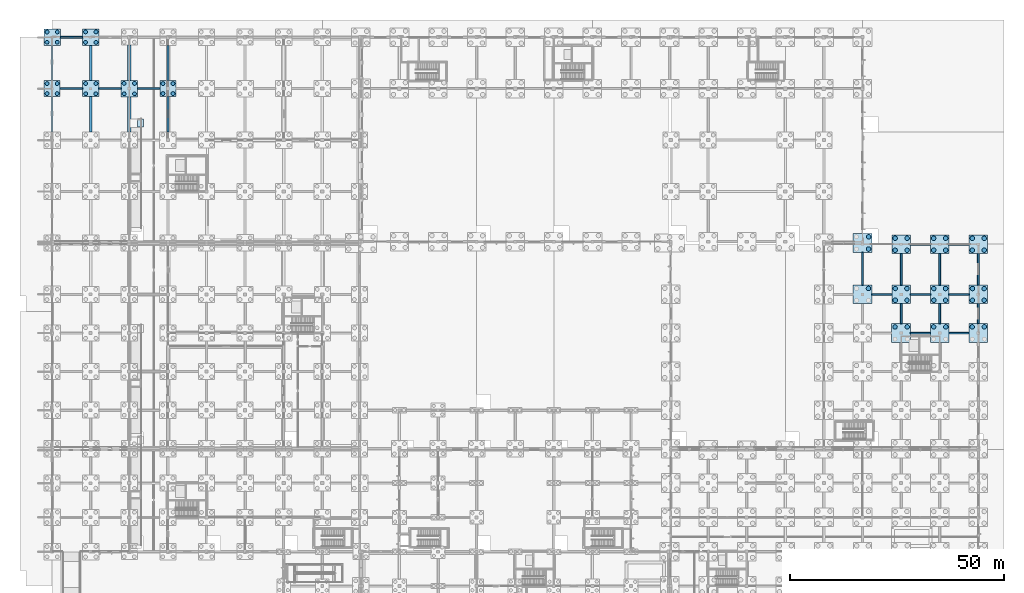
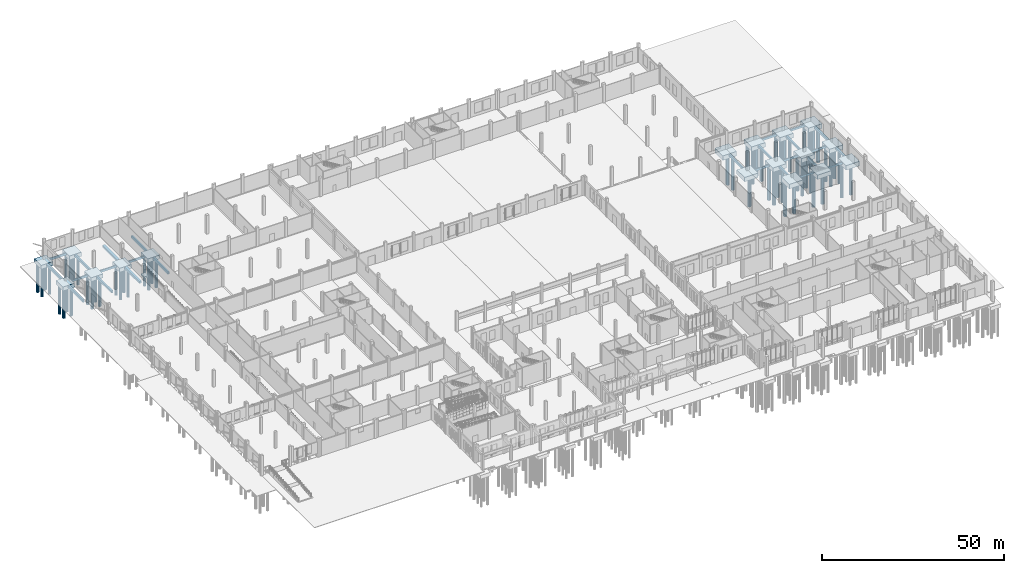
# One storey, part 20 of 99: 57 piles, 44 footings.
"""IFC4 building model written with IfcOpenShell, lengths in metres."""

from ifc_helpers import new_model, si_unit, direction, frame, origin, origin_2d, place, context, subcontext, project, spatial, polyline, rectangle, circle, outline, extrude, material, layer, layer_set, material_profile, profile_set, type_object, element, save


model = new_model("IFC4")

# Units and contexts
model_context = context("Model", 3, precision=1e-05, world=origin(), true_north=direction((0.0, 1.0)))
body_context = subcontext(model_context, "Body", "Model", "MODEL_VIEW")
ifc_project = project(units=[si_unit("LENGTHUNIT", "METRE"), si_unit("AREAUNIT", "SQUARE_METRE"), si_unit("VOLUMEUNIT", "CUBIC_METRE"), si_unit("PLANEANGLEUNIT", "RADIAN"), si_unit("MASSUNIT", "GRAM", prefix="KILO")], contexts=[model_context])

# Site, building, storey
site_placement = place(None, origin())
site = spatial("IfcSite", under=ifc_project, at=site_placement, CompositionType="ELEMENT")
building_placement = place(site_placement, origin())
building = spatial("IfcBuilding", under=site, at=building_placement, Name="Zacnel Wholesale Market", CompositionType="ELEMENT")
storey_placement = place(building_placement, origin())
storey = spatial("IfcBuildingStorey", under=building, at=storey_placement, Name="L01", CompositionType="ELEMENT", Elevation=0.0)

# Footings
ifc_material_1 = material(Name="Concrete C35/45", Category="concrete")
ifc_material_profile_1 = material_profile(ifc_material_1, rectangle(XDim=0.39990234375, YDim=0.699951171875, at=origin_2d()), Name="CT 400x700")
ifc_profile_set_1 = profile_set([ifc_material_profile_1], Name="Concrete C35/45")
footing_type_1 = type_object("IfcFootingType", Name="FTG-CT400X700", PredefinedType="FOOTING_BEAM", material=ifc_profile_set_1)
for number, where, z_axis, x_axis, name in (
    (1, (200.18994140625, 75.0, -0.85009765625), (1.0, 0.0, 0.0), (0.0, 1.0, 0.0), "Ground tie beam CT-X-0419"),
    (2, (209.18994140625, 75.0, -0.85009765625), (1.0, 0.0, 0.0), (0.0, 1.0, 0.0), "Ground tie beam CT-X-0420"),
):
    element("IfcFooting", number, at=place(storey_placement, frame(where, z_axis=z_axis, x_axis=x_axis)), inside=storey, type_object=footing_type_1, Name=name, PredefinedType="FOOTING_BEAM", context=body_context, shape_type="SweptSolid", body=[
        extrude(rectangle(XDim=0.39990234375, YDim=0.699951171875, at=origin_2d()), origin(), (0.0, 0.0, 1.0), 4.6201171875),
    ])
footing_1_placement = place(storey_placement, frame((191.1650390625, 84.0, -0.85009765625), z_axis=(1.0, 0.0, 0.0), x_axis=(0.0, 1.0, 0.0)))
element("IfcFooting", 3, at=footing_1_placement, inside=storey, type_object=footing_type_1, Name="Ground tie beam CT-X-0429", PredefinedType="FOOTING_BEAM", context=body_context, shape_type="SweptSolid", body=[
    extrude(rectangle(XDim=0.39990234375, YDim=0.699951171875, at=origin_2d()), origin(), (0.0, 0.0, 1.0), 4.695068359375),
])
for number, where, z_axis, x_axis, name in (
    (4, (200.139892578125, 84.0, -0.85009765625), (1.0, 0.0, 0.0), (0.0, 1.0, 0.0), "Ground tie beam CT-X-0430"),
    (5, (209.139892578125, 84.0, -0.85009765625), (1.0, 0.0, 0.0), (0.0, 1.0, 0.0), "Ground tie beam CT-X-0431"),
):
    element("IfcFooting", number, at=place(storey_placement, frame(where, z_axis=z_axis, x_axis=x_axis)), inside=storey, type_object=footing_type_1, Name=name, PredefinedType="FOOTING_BEAM", context=body_context, shape_type="SweptSolid", body=[
        extrude(rectangle(XDim=0.39990234375, YDim=0.699951171875, at=origin_2d()), origin(), (0.0, 0.0, 1.0), 4.72021484375),
    ])
for number, where, z_axis, x_axis, name in (
    (6, (200.1650390625, 95.699951171875, -0.85009765625), (1.0, 0.0, 0.0), (0.0, 1.0, 0.0), "Ground tie beam CT-X-0432"),
    (7, (209.1650390625, 95.699951171875, -0.85009765625), (1.0, 0.0, 0.0), (0.0, 1.0, 0.0), "Ground tie beam CT-X-0433"),
):
    element("IfcFooting", number, at=place(storey_placement, frame(where, z_axis=z_axis, x_axis=x_axis)), inside=storey, type_object=footing_type_1, Name=name, PredefinedType="FOOTING_BEAM", context=body_context, shape_type="SweptSolid", body=[
        extrude(rectangle(XDim=0.39990234375, YDim=0.699951171875, at=origin_2d()), origin(), (0.0, 0.0, 1.0), 4.669921875),
    ])
footing_2_placement = place(storey_placement, frame((1.8701171875, 132.0, -0.85009765625), z_axis=(1.0, 0.0, 0.0), x_axis=(0.0, 1.0, 0.0)))
element("IfcFooting", 8, at=footing_2_placement, inside=storey, type_object=footing_type_1, Name="Ground tie beam CT-X-0472", PredefinedType="FOOTING_BEAM", context=body_context, shape_type="SweptSolid", body=[
    extrude(rectangle(XDim=0.39990234375, YDim=0.699951171875, at=origin_2d()), origin(), (0.0, 0.0, 1.0), 5.239990234375),
])
footing_3_placement = place(storey_placement, frame((10.889892578125, 132.0, -0.85009765625), z_axis=(1.0, 0.0, 0.0), x_axis=(0.0, 1.0, 0.0)))
element("IfcFooting", 9, at=footing_3_placement, inside=storey, type_object=footing_type_1, Name="Ground tie beam CT-X-0473", PredefinedType="FOOTING_BEAM", context=body_context, shape_type="SweptSolid", body=[
    extrude(rectangle(XDim=0.39990234375, YDim=0.699951171875, at=origin_2d()), origin(), (0.0, 0.0, 1.0), 5.195068359375),
])
footing_4_placement = place(storey_placement, frame((19.9150390625, 132.0, -0.85009765625), z_axis=(1.0, 0.0, 0.0), x_axis=(0.0, 1.0, 0.0)))
element("IfcFooting", 10, at=footing_4_placement, inside=storey, type_object=footing_type_1, Name="Ground tie beam CT-X-0474", PredefinedType="FOOTING_BEAM", context=body_context, shape_type="SweptSolid", body=[
    extrude(rectangle(XDim=0.39990234375, YDim=0.699951171875, at=origin_2d()), origin(), (0.0, 0.0, 1.0), 5.21484375),
])
footing_5_placement = place(storey_placement, frame((1.889892578125, 144.0, -0.85009765625), z_axis=(1.0, 0.0, 0.0), x_axis=(0.0, 1.0, 0.0)))
element("IfcFooting", 11, at=footing_5_placement, inside=storey, type_object=footing_type_1, Name="Ground tie beam CT-X-0493", PredefinedType="FOOTING_BEAM", context=body_context, shape_type="SweptSolid", body=[
    extrude(rectangle(XDim=0.39990234375, YDim=0.699951171875, at=origin_2d()), origin(), (0.0, 0.0, 1.0), 5.195068359375),
])
ifc_material_2 = material(Name="Concrete C35/45", Category="concrete")
ifc_material_profile_2 = material_profile(ifc_material_2, rectangle(XDim=0.449951171875, YDim=0.75, at=origin_2d()), Name="CT 450x750")
ifc_profile_set_2 = profile_set([ifc_material_profile_2], Name="Concrete C35/45")
footing_type_2 = type_object("IfcFootingType", Name="FTG-CT450X750", PredefinedType="FOOTING_BEAM", material=ifc_profile_set_2)
footing_6_placement = place(storey_placement, frame((189.0, 86.1650390625, -0.875), z_axis=(0.0, 1.0, 0.0), x_axis=(-1.0, 0.0, 0.0)))
element("IfcFooting", 12, at=footing_6_placement, inside=storey, type_object=footing_type_2, Name="Ground tie beam CT-Y-0204", PredefinedType="FOOTING_BEAM", context=body_context, shape_type="SweptSolid", body=[
    extrude(rectangle(XDim=0.449951171875, YDim=0.75, at=origin_2d()), origin(), (0.0, 0.0, 1.0), 7.64501953125),
])
footing_7_placement = place(storey_placement, frame((198.0, 77.18994140625, -0.875), z_axis=(0.0, 1.0, 0.0), x_axis=(-1.0, 0.0, 0.0)))
element("IfcFooting", 13, at=footing_7_placement, inside=storey, type_object=footing_type_2, Name="Ground tie beam CT-Y-0213", PredefinedType="FOOTING_BEAM", context=body_context, shape_type="SweptSolid", body=[
    extrude(rectangle(XDim=0.449951171875, YDim=0.75, at=origin_2d()), origin(), (0.0, 0.0, 1.0), 4.670166015625),
])
footing_8_placement = place(storey_placement, frame((198.0, 86.139892578125, -0.875), z_axis=(0.0, 1.0, 0.0), x_axis=(-1.0, 0.0, 0.0)))
element("IfcFooting", 14, at=footing_8_placement, inside=storey, type_object=footing_type_2, Name="Ground tie beam CT-Y-0214", PredefinedType="FOOTING_BEAM", context=body_context, shape_type="SweptSolid", body=[
    extrude(rectangle(XDim=0.449951171875, YDim=0.75, at=origin_2d()), origin(), (0.0, 0.0, 1.0), 7.39501953125),
])
footing_9_placement = place(storey_placement, frame((207.0, 77.18994140625, -0.875), z_axis=(0.0, 1.0, 0.0), x_axis=(-1.0, 0.0, 0.0)))
element("IfcFooting", 15, at=footing_9_placement, inside=storey, type_object=footing_type_2, Name="Ground tie beam CT-Y-0224", PredefinedType="FOOTING_BEAM", context=body_context, shape_type="SweptSolid", body=[
    extrude(rectangle(XDim=0.449951171875, YDim=0.75, at=origin_2d()), origin(), (0.0, 0.0, 1.0), 4.670166015625),
])
footing_10_placement = place(storey_placement, frame((207.0, 86.139892578125, -0.875), z_axis=(0.0, 1.0, 0.0), x_axis=(-1.0, 0.0, 0.0)))
element("IfcFooting", 16, at=footing_10_placement, inside=storey, type_object=footing_type_2, Name="Ground tie beam CT-Y-0225", PredefinedType="FOOTING_BEAM", context=body_context, shape_type="SweptSolid", body=[
    extrude(rectangle(XDim=0.449951171875, YDim=0.75, at=origin_2d()), origin(), (0.0, 0.0, 1.0), 7.39501953125),
])
footing_11_placement = place(storey_placement, frame((216.0, 77.18994140625, -0.875), z_axis=(0.0, 1.0, 0.0), x_axis=(-1.0, 0.0, 0.0)))
element("IfcFooting", 17, at=footing_11_placement, inside=storey, type_object=footing_type_2, Name="Ground tie beam CT-Y-0236", PredefinedType="FOOTING_BEAM", context=body_context, shape_type="SweptSolid", body=[
    extrude(rectangle(XDim=0.449951171875, YDim=0.75, at=origin_2d()), origin(), (0.0, 0.0, 1.0), 4.670166015625),
])
footing_12_placement = place(storey_placement, frame((216.0, 86.139892578125, -0.875), z_axis=(0.0, 1.0, 0.0), x_axis=(-1.0, 0.0, 0.0)))
element("IfcFooting", 18, at=footing_12_placement, inside=storey, type_object=footing_type_2, Name="Ground tie beam CT-Y-0237", PredefinedType="FOOTING_BEAM", context=body_context, shape_type="SweptSolid", body=[
    extrude(rectangle(XDim=0.449951171875, YDim=0.75, at=origin_2d()), origin(), (0.0, 0.0, 1.0), 7.39501953125),
])
ifc_material_3 = material(Name="Concrete C35/45", Category="concrete")
ifc_material_profile_3 = material_profile(ifc_material_3, rectangle(XDim=0.5, YDim=0.800048828125, at=origin_2d()), Name="CT 500x800")
ifc_profile_set_3 = profile_set([ifc_material_profile_3], Name="Concrete C35/45")
footing_type_3 = type_object("IfcFootingType", Name="FTG-CT500X800", PredefinedType="FOOTING_BEAM", material=ifc_profile_set_3)
footing_13_placement = place(storey_placement, frame((0.0, 121.9150390625, -0.89990234375), z_axis=(0.0, 1.0, 0.0), x_axis=(-1.0, 0.0, 0.0)))
element("IfcFooting", 19, at=footing_13_placement, inside=storey, type_object=footing_type_3, Name="Ground tie beam CT-Y-0011", PredefinedType="FOOTING_BEAM", context=body_context, shape_type="SweptSolid", body=[
    extrude(rectangle(XDim=0.5, YDim=0.800048828125, at=origin_2d()), origin(), (0.0, 0.0, 1.0), 8.21484375),
])
for number, where, z_axis, x_axis, name in (
    (20, (0.0, 133.8701171875, -0.89990234375), (0.0, 1.0, 0.0), (-1.0, 0.0, 0.0), "Ground tie beam CT-Y-0012"),
    (21, (9.0, 121.8701171875, -0.89990234375), (0.0, 1.0, 0.0), (-1.0, 0.0, 0.0), "Ground tie beam CT-Y-0023"),
):
    element("IfcFooting", number, at=place(storey_placement, frame(where, z_axis=z_axis, x_axis=x_axis)), inside=storey, type_object=footing_type_3, Name=name, PredefinedType="FOOTING_BEAM", context=body_context, shape_type="SweptSolid", body=[
        extrude(rectangle(XDim=0.5, YDim=0.800048828125, at=origin_2d()), origin(), (0.0, 0.0, 1.0), 8.239990234375),
    ])
footing_14_placement = place(storey_placement, frame((9.0, 133.889892578125, -0.89990234375), z_axis=(0.0, 1.0, 0.0), x_axis=(-1.0, 0.0, 0.0)))
element("IfcFooting", 22, at=footing_14_placement, inside=storey, type_object=footing_type_3, Name="Ground tie beam CT-Y-0024", PredefinedType="FOOTING_BEAM", context=body_context, shape_type="SweptSolid", body=[
    extrude(rectangle(XDim=0.5, YDim=0.800048828125, at=origin_2d()), origin(), (0.0, 0.0, 1.0), 8.195068359375),
])
footing_15_placement = place(storey_placement, frame((27.0, 121.9150390625, -0.89990234375), z_axis=(0.0, 1.0, 0.0), x_axis=(-1.0, 0.0, 0.0)))
element("IfcFooting", 23, at=footing_15_placement, inside=storey, type_object=footing_type_3, Name="Ground tie beam CT-Y-0033", PredefinedType="FOOTING_BEAM", context=body_context, shape_type="SweptSolid", body=[
    extrude(rectangle(XDim=0.5, YDim=0.800048828125, at=origin_2d()), origin(), (0.0, 0.0, 1.0), 8.21484375),
])
footing_16_placement = place(storey_placement, frame((27.0, 133.8701171875, -0.89990234375), z_axis=(0.0, 1.0, 0.0), x_axis=(-1.0, 0.0, 0.0)))
element("IfcFooting", 24, at=footing_16_placement, inside=storey, type_object=footing_type_3, Name="Ground tie beam CT-Y-0034", PredefinedType="FOOTING_BEAM", context=body_context, shape_type="SweptSolid", body=[
    extrude(rectangle(XDim=0.5, YDim=0.800048828125, at=origin_2d()), origin(), (0.0, 0.0, 1.0), 8.239990234375),
])
ifc_material_4 = material(Name="Concrete C35/45", Category="concrete")
ifc_layer_1 = layer(ifc_material_4, 1.0)
ifc_layer_set_1 = layer_set([ifc_layer_1], Name="Concrete C35/45")
footing_type_4 = type_object("IfcFootingType", Name="FTG-PAD-2400X1800", PredefinedType="PAD_FOOTING", material=ifc_layer_set_1)
footing_17_placement = place(storey_placement, frame((0.0, 0.0, -1.10009765625)))
element("IfcFooting", 25, at=footing_17_placement, inside=storey, type_object=footing_type_4, Name="Accessible ramp RP-01 (RMP-DOCK-N) pad footing", PredefinedType="PAD_FOOTING", context=body_context, shape_type="SweptSolid", body=[
    extrude(outline(polyline([(21.25, 123.10009765625), (21.25, 124.949951171875), (19.949951171875, 124.949951171875), (19.949951171875, 123.10009765625), (21.25, 123.10009765625)])), origin(), (0.0, 0.0, 1.0), 0.60009765625),
])
ifc_material_5 = material(Name="Concrete C35/45", Category="concrete")
ifc_layer_2 = layer(ifc_material_5, 1.300048828125)
ifc_layer_set_2 = layer_set([ifc_layer_2], Name="Concrete C35/45")
footing_type_5 = type_object("IfcFootingType", Name="FTG-PC-3740X3740X1300", PredefinedType="PILE_CAP", material=ifc_layer_set_2)
footing_18_placement = place(storey_placement, frame((27.0, 132.0, -1.7998046875), z_axis=(0.0, 0.0, 1.0), x_axis=(1.0, 0.0, 0.0)))
element("IfcFooting", 26, at=footing_18_placement, inside=storey, type_object=footing_type_5, Name="Pile cap PC-03 (STR-PC-051)", PredefinedType="PILE_CAP", context=body_context, shape_type="SweptSolid", body=[
    extrude(rectangle(XDim=3.739990234375, YDim=3.739990234375, at=origin_2d()), origin(), (0.0, 0.0, 1.0), 1.300048828125),
])
ifc_material_6 = material(Name="Concrete C35/45", Category="concrete")
ifc_layer_3 = layer(ifc_material_6, 1.35009765625)
ifc_layer_set_3 = layer_set([ifc_layer_3], Name="Concrete C35/45")
footing_type_6 = type_object("IfcFootingType", Name="FTG-PC-3740X3740X1350", PredefinedType="PILE_CAP", material=ifc_layer_set_3)
footing_19_placement = place(storey_placement, frame((0.0, 132.0, -1.85009765625), z_axis=(0.0, 0.0, 1.0), x_axis=(1.0, 0.0, 0.0)))
element("IfcFooting", 27, at=footing_19_placement, inside=storey, type_object=footing_type_6, Name="Pile cap PC-06 (STR-PC-012)", PredefinedType="PILE_CAP", context=body_context, shape_type="SweptSolid", body=[
    extrude(rectangle(XDim=3.739990234375, YDim=3.739990234375, at=origin_2d()), origin(), (0.0, 0.0, 1.0), 1.35009765625),
])
ifc_material_7 = material(Name="Concrete C35/45", Category="concrete")
ifc_layer_4 = layer(ifc_material_7, 1.300048828125)
ifc_layer_set_4 = layer_set([ifc_layer_4], Name="Concrete C35/45")
footing_type_7 = type_object("IfcFootingType", Name="FTG-PC-3780X3780X1300", PredefinedType="PILE_CAP", material=ifc_layer_set_4)
for number, where, z_axis, x_axis, name in (
    (28, (0.0, 144.0, -1.7998046875), (0.0, 0.0, 1.0), (1.0, 0.0, 0.0), "Pile cap PC-01 (STR-PC-013)"),
    (29, (9.0, 132.0, -1.7998046875), (0.0, 0.0, 1.0), (1.0, 0.0, 0.0), "Pile cap PC-01 (STR-PC-025)"),
):
    element("IfcFooting", number, at=place(storey_placement, frame(where, z_axis=z_axis, x_axis=x_axis)), inside=storey, type_object=footing_type_7, Name=name, PredefinedType="PILE_CAP", context=body_context, shape_type="SweptSolid", body=[
        extrude(rectangle(XDim=3.780029296875, YDim=3.780029296875, at=origin_2d()), origin(), (0.0, 0.0, 1.0), 1.300048828125),
    ])
ifc_material_8 = material(Name="Concrete C35/45", Category="concrete")
ifc_layer_5 = layer(ifc_material_8, 1.35009765625)
ifc_layer_set_5 = layer_set([ifc_layer_5], Name="Concrete C35/45")
footing_type_8 = type_object("IfcFootingType", Name="FTG-PC-3830X3830X1350", PredefinedType="PILE_CAP", material=ifc_layer_set_5)
for number, where, z_axis, x_axis, name in (
    (30, (9.0, 144.0, -1.85009765625), (0.0, 0.0, 1.0), (1.0, 0.0, 0.0), "Pile cap PC-02 (STR-PC-026)"),
    (31, (18.0, 132.0, -1.85009765625), (0.0, 0.0, 1.0), (1.0, 0.0, 0.0), "Pile cap PC-02 (STR-PC-038)"),
):
    element("IfcFooting", number, at=place(storey_placement, frame(where, z_axis=z_axis, x_axis=x_axis)), inside=storey, type_object=footing_type_8, Name=name, PredefinedType="PILE_CAP", context=body_context, shape_type="SweptSolid", body=[
        extrude(rectangle(XDim=3.830078125, YDim=3.830078125, at=origin_2d()), origin(), (0.0, 0.0, 1.0), 1.35009765625),
    ])
ifc_material_9 = material(Name="Concrete C35/45", Category="concrete")
ifc_layer_6 = layer(ifc_material_9, 1.449951171875)
ifc_layer_set_6 = layer_set([ifc_layer_6], Name="Concrete C35/45")
footing_type_9 = type_object("IfcFootingType", Name="FTG-PC-4280X4280X1450", PredefinedType="PILE_CAP", material=ifc_layer_set_6)
for number, where, z_axis, x_axis, name in (
    (32, (198.0, 84.0, -1.9501953125), (0.0, 0.0, 1.0), (1.0, 0.0, 0.0), "Pile cap PC-16 (STR-PC-279)"),
    (33, (207.0, 84.0, -1.9501953125), (0.0, 0.0, 1.0), (1.0, 0.0, 0.0), "Pile cap PC-16 (STR-PC-291)"),
    (34, (216.0, 84.0, -1.9501953125), (0.0, 0.0, 1.0), (1.0, 0.0, 0.0), "Pile cap PC-16 (STR-PC-303)"),
):
    element("IfcFooting", number, at=place(storey_placement, frame(where, z_axis=z_axis, x_axis=x_axis)), inside=storey, type_object=footing_type_9, Name=name, PredefinedType="PILE_CAP", context=body_context, shape_type="SweptSolid", body=[
        extrude(rectangle(XDim=4.280029296875, YDim=4.280029296875, at=origin_2d()), origin(), (0.0, 0.0, 1.0), 1.449951171875),
    ])
ifc_material_10 = material(Name="Concrete C35/45", Category="concrete")
ifc_layer_7 = layer(ifc_material_10, 1.449951171875)
ifc_layer_set_7 = layer_set([ifc_layer_7], Name="Concrete C35/45")
footing_type_10 = type_object("IfcFootingType", Name="FTG-PC-4330X4330X1450", PredefinedType="PILE_CAP", material=ifc_layer_set_7)
footing_20_placement = place(storey_placement, frame((189.0, 84.0, -1.9501953125), z_axis=(0.0, 0.0, 1.0), x_axis=(1.0, 0.0, 0.0)))
element("IfcFooting", 35, at=footing_20_placement, inside=storey, type_object=footing_type_10, Name="Pile cap PC-19 (STR-PC-265)", PredefinedType="PILE_CAP", context=body_context, shape_type="SweptSolid", body=[
    extrude(rectangle(XDim=4.330078125, YDim=4.330078125, at=origin_2d()), origin(), (0.0, 0.0, 1.0), 1.449951171875),
])
ifc_material_11 = material(Name="Concrete C35/45", Category="concrete")
ifc_layer_8 = layer(ifc_material_11, 1.5)
ifc_layer_set_8 = layer_set([ifc_layer_8], Name="Concrete C35/45")
footing_type_11 = type_object("IfcFootingType", Name="FTG-PC-4330X4330X1500", PredefinedType="PILE_CAP", material=ifc_layer_set_8)
for number, where, z_axis, x_axis, name in (
    (36, (198.0, 95.699951171875, -2.0), (0.0, 0.0, 1.0), (1.0, 0.0, 0.0), "Pile cap PC-17 (STR-PC-280)"),
    (37, (207.0, 95.699951171875, -2.0), (0.0, 0.0, 1.0), (1.0, 0.0, 0.0), "Pile cap PC-17 (STR-PC-292)"),
    (38, (216.0, 95.699951171875, -2.0), (0.0, 0.0, 1.0), (1.0, 0.0, 0.0), "Pile cap PC-17 (STR-PC-304)"),
):
    element("IfcFooting", number, at=place(storey_placement, frame(where, z_axis=z_axis, x_axis=x_axis)), inside=storey, type_object=footing_type_11, Name=name, PredefinedType="PILE_CAP", context=body_context, shape_type="SweptSolid", body=[
        extrude(rectangle(XDim=4.330078125, YDim=4.330078125, at=origin_2d()), origin(), (0.0, 0.0, 1.0), 1.5),
    ])
ifc_material_12 = material(Name="Concrete C35/45", Category="concrete")
ifc_layer_9 = layer(ifc_material_12, 1.5)
ifc_layer_set_9 = layer_set([ifc_layer_9], Name="Concrete C35/45")
footing_type_12 = type_object("IfcFootingType", Name="FTG-PC-4380X4380X1500", PredefinedType="PILE_CAP", material=ifc_layer_set_9)
for number, where, z_axis, x_axis, name in (
    (39, (189.0, 96.0, -2.0), (0.0, 0.0, 1.0), (1.0, 0.0, 0.0), "Pile cap PC-18 (STR-PC-266)"),
    (40, (198.0, 75.0, -2.0), (0.0, 0.0, 1.0), (1.0, 0.0, 0.0), "Pile cap PC-18 (STR-PC-278)"),
    (41, (207.0, 75.0, -2.0), (0.0, 0.0, 1.0), (1.0, 0.0, 0.0), "Pile cap PC-18 (STR-PC-290)"),
    (42, (216.0, 75.0, -2.0), (0.0, 0.0, 1.0), (1.0, 0.0, 0.0), "Pile cap PC-18 (STR-PC-302)"),
):
    element("IfcFooting", number, at=place(storey_placement, frame(where, z_axis=z_axis, x_axis=x_axis)), inside=storey, type_object=footing_type_12, Name=name, PredefinedType="PILE_CAP", context=body_context, shape_type="SweptSolid", body=[
        extrude(rectangle(XDim=4.3798828125, YDim=4.3798828125, at=origin_2d()), origin(), (0.0, 0.0, 1.0), 1.5),
    ])
ifc_material_13 = material(Name="Concrete C35/45", Category="concrete")
ifc_layer_10 = layer(ifc_material_13, 0.699951171875)
ifc_layer_set_10 = layer_set([ifc_layer_10], Name="Concrete C35/45")
footing_type_13 = type_object("IfcFootingType", Name="FTG-STRIP-750X700", PredefinedType="STRIP_FOOTING", material=ifc_layer_set_10)
footing_21_placement = place(storey_placement, frame((0.0, 0.0, -1.199951171875)))
element("IfcFooting", 43, at=footing_21_placement, inside=storey, type_object=footing_type_13, Name="Dock step strip footing 011", PredefinedType="STRIP_FOOTING", context=body_context, shape_type="SweptSolid", body=[
    extrude(outline(polyline([(18.375, 121.89111328125), (18.375, 130.083984375), (17.625, 130.083984375), (17.625, 121.89111328125), (18.375, 121.89111328125)])), origin(), (0.0, 0.0, 1.0), 0.699951171875),
])
footing_22_placement = place(storey_placement, frame((0.0, 0.0, -1.199951171875)))
element("IfcFooting", 44, at=footing_22_placement, inside=storey, type_object=footing_type_13, Name="Dock step strip footing 012", PredefinedType="STRIP_FOOTING", context=body_context, shape_type="SweptSolid", body=[
    extrude(outline(polyline([(18.375, 133.916015625), (18.375, 142.12890625), (17.625, 142.12890625), (17.625, 133.916015625), (18.375, 133.916015625)])), origin(), (0.0, 0.0, 1.0), 0.699951171875),
])

# Piles
ifc_material_14 = material(Name="Concrete C35/45", Category="concrete")
ifc_material_profile_4 = material_profile(ifc_material_14, circle(Radius=0.52490234375, at=origin_2d()), Name="BORED PILE D1050")
ifc_profile_set_4 = profile_set([ifc_material_profile_4], Name="Concrete C35/45")
pile_type_1 = type_object("IfcPileType", Name="PILE-BORED-1050", PredefinedType="BORED", material=ifc_profile_set_4)
pile_placement = place(storey_placement, frame((190.3916015625, 85.3916015625, -1.85009765625), z_axis=(0.0, 0.0, -1.0), x_axis=(1.0, 0.0, 0.0)))
element("IfcPile", 45, at=pile_placement, inside=storey, type_object=pile_type_1, Name="Bored pile STR-PILE-265-04", PredefinedType="BORED", context=body_context, shape_type="SweptSolid", body=[
    extrude(circle(Radius=0.52490234375, at=origin_2d()), origin(), (0.0, 0.0, 1.0), 11.64990234375),
])
for number, where, z_axis, x_axis, name in (
    (46, (190.41748046875, 94.58251953125, -1.89990234375), (0.0, 0.0, -1.0), (1.0, 0.0, 0.0), "Bored pile STR-PILE-266-03"),
    (47, (190.41748046875, 97.41748046875, -1.89990234375), (0.0, 0.0, -1.0), (1.0, 0.0, 0.0), "Bored pile STR-PILE-266-04"),
    (48, (196.58251953125, 76.41748046875, -1.89990234375), (0.0, 0.0, -1.0), (1.0, 0.0, 0.0), "Bored pile STR-PILE-278-02"),
    (49, (199.41748046875, 76.41748046875, -1.89990234375), (0.0, 0.0, -1.0), (1.0, 0.0, 0.0), "Bored pile STR-PILE-278-04"),
):
    element("IfcPile", number, at=place(storey_placement, frame(where, z_axis=z_axis, x_axis=x_axis)), inside=storey, type_object=pile_type_1, Name=name, PredefinedType="BORED", context=body_context, shape_type="SweptSolid", body=[
        extrude(circle(Radius=0.52490234375, at=origin_2d()), origin(), (0.0, 0.0, 1.0), 11.60009765625),
    ])
for number, where, z_axis, x_axis, name in (
    (50, (196.635009765625, 82.635009765625, -1.85009765625), (0.0, 0.0, -1.0), (1.0, 0.0, 0.0), "Bored pile STR-PILE-279-01"),
    (51, (196.635009765625, 85.364990234375, -1.85009765625), (0.0, 0.0, -1.0), (1.0, 0.0, 0.0), "Bored pile STR-PILE-279-02"),
    (52, (199.364990234375, 82.635009765625, -1.85009765625), (0.0, 0.0, -1.0), (1.0, 0.0, 0.0), "Bored pile STR-PILE-279-03"),
    (53, (199.364990234375, 85.364990234375, -1.85009765625), (0.0, 0.0, -1.0), (1.0, 0.0, 0.0), "Bored pile STR-PILE-279-04"),
):
    element("IfcPile", number, at=place(storey_placement, frame(where, z_axis=z_axis, x_axis=x_axis)), inside=storey, type_object=pile_type_1, Name=name, PredefinedType="BORED", context=body_context, shape_type="SweptSolid", body=[
        extrude(circle(Radius=0.52490234375, at=origin_2d()), origin(), (0.0, 0.0, 1.0), 11.64990234375),
    ])
for number, where, z_axis, x_axis, name in (
    (54, (196.6083984375, 94.30859375, -1.89990234375), (0.0, 0.0, -1.0), (1.0, 0.0, 0.0), "Bored pile STR-PILE-280-01"),
    (55, (196.6083984375, 97.091552734375, -1.89990234375), (0.0, 0.0, -1.0), (1.0, 0.0, 0.0), "Bored pile STR-PILE-280-02"),
    (56, (199.3916015625, 94.30859375, -1.89990234375), (0.0, 0.0, -1.0), (1.0, 0.0, 0.0), "Bored pile STR-PILE-280-03"),
    (57, (199.3916015625, 97.091552734375, -1.89990234375), (0.0, 0.0, -1.0), (1.0, 0.0, 0.0), "Bored pile STR-PILE-280-04"),
    (58, (205.58251953125, 76.41748046875, -1.89990234375), (0.0, 0.0, -1.0), (1.0, 0.0, 0.0), "Bored pile STR-PILE-290-02"),
    (59, (208.41748046875, 76.41748046875, -1.89990234375), (0.0, 0.0, -1.0), (1.0, 0.0, 0.0), "Bored pile STR-PILE-290-04"),
):
    element("IfcPile", number, at=place(storey_placement, frame(where, z_axis=z_axis, x_axis=x_axis)), inside=storey, type_object=pile_type_1, Name=name, PredefinedType="BORED", context=body_context, shape_type="SweptSolid", body=[
        extrude(circle(Radius=0.52490234375, at=origin_2d()), origin(), (0.0, 0.0, 1.0), 11.60009765625),
    ])
for number, where, z_axis, x_axis, name in (
    (60, (205.635009765625, 82.635009765625, -1.85009765625), (0.0, 0.0, -1.0), (1.0, 0.0, 0.0), "Bored pile STR-PILE-291-01"),
    (61, (205.635009765625, 85.364990234375, -1.85009765625), (0.0, 0.0, -1.0), (1.0, 0.0, 0.0), "Bored pile STR-PILE-291-02"),
    (62, (208.364990234375, 82.635009765625, -1.85009765625), (0.0, 0.0, -1.0), (1.0, 0.0, 0.0), "Bored pile STR-PILE-291-03"),
    (63, (208.364990234375, 85.364990234375, -1.85009765625), (0.0, 0.0, -1.0), (1.0, 0.0, 0.0), "Bored pile STR-PILE-291-04"),
):
    element("IfcPile", number, at=place(storey_placement, frame(where, z_axis=z_axis, x_axis=x_axis)), inside=storey, type_object=pile_type_1, Name=name, PredefinedType="BORED", context=body_context, shape_type="SweptSolid", body=[
        extrude(circle(Radius=0.52490234375, at=origin_2d()), origin(), (0.0, 0.0, 1.0), 11.64990234375),
    ])
for number, where, z_axis, x_axis, name in (
    (64, (205.6083984375, 94.30859375, -1.89990234375), (0.0, 0.0, -1.0), (1.0, 0.0, 0.0), "Bored pile STR-PILE-292-01"),
    (65, (205.6083984375, 97.091552734375, -1.89990234375), (0.0, 0.0, -1.0), (1.0, 0.0, 0.0), "Bored pile STR-PILE-292-02"),
    (66, (208.3916015625, 94.30859375, -1.89990234375), (0.0, 0.0, -1.0), (1.0, 0.0, 0.0), "Bored pile STR-PILE-292-03"),
    (67, (208.3916015625, 97.091552734375, -1.89990234375), (0.0, 0.0, -1.0), (1.0, 0.0, 0.0), "Bored pile STR-PILE-292-04"),
    (68, (214.58251953125, 76.41748046875, -1.89990234375), (0.0, 0.0, -1.0), (1.0, 0.0, 0.0), "Bored pile STR-PILE-302-02"),
    (69, (217.41748046875, 76.41748046875, -1.89990234375), (0.0, 0.0, -1.0), (1.0, 0.0, 0.0), "Bored pile STR-PILE-302-04"),
):
    element("IfcPile", number, at=place(storey_placement, frame(where, z_axis=z_axis, x_axis=x_axis)), inside=storey, type_object=pile_type_1, Name=name, PredefinedType="BORED", context=body_context, shape_type="SweptSolid", body=[
        extrude(circle(Radius=0.52490234375, at=origin_2d()), origin(), (0.0, 0.0, 1.0), 11.60009765625),
    ])
for number, where, z_axis, x_axis, name in (
    (70, (214.635009765625, 82.635009765625, -1.85009765625), (0.0, 0.0, -1.0), (1.0, 0.0, 0.0), "Bored pile STR-PILE-303-01"),
    (71, (214.635009765625, 85.364990234375, -1.85009765625), (0.0, 0.0, -1.0), (1.0, 0.0, 0.0), "Bored pile STR-PILE-303-02"),
    (72, (217.364990234375, 82.635009765625, -1.85009765625), (0.0, 0.0, -1.0), (1.0, 0.0, 0.0), "Bored pile STR-PILE-303-03"),
    (73, (217.364990234375, 85.364990234375, -1.85009765625), (0.0, 0.0, -1.0), (1.0, 0.0, 0.0), "Bored pile STR-PILE-303-04"),
):
    element("IfcPile", number, at=place(storey_placement, frame(where, z_axis=z_axis, x_axis=x_axis)), inside=storey, type_object=pile_type_1, Name=name, PredefinedType="BORED", context=body_context, shape_type="SweptSolid", body=[
        extrude(circle(Radius=0.52490234375, at=origin_2d()), origin(), (0.0, 0.0, 1.0), 11.64990234375),
    ])
for number, where, z_axis, x_axis, name in (
    (74, (214.6083984375, 94.30859375, -1.89990234375), (0.0, 0.0, -1.0), (1.0, 0.0, 0.0), "Bored pile STR-PILE-304-01"),
    (75, (214.6083984375, 97.091552734375, -1.89990234375), (0.0, 0.0, -1.0), (1.0, 0.0, 0.0), "Bored pile STR-PILE-304-02"),
    (76, (217.3916015625, 94.30859375, -1.89990234375), (0.0, 0.0, -1.0), (1.0, 0.0, 0.0), "Bored pile STR-PILE-304-03"),
    (77, (217.3916015625, 97.091552734375, -1.89990234375), (0.0, 0.0, -1.0), (1.0, 0.0, 0.0), "Bored pile STR-PILE-304-04"),
):
    element("IfcPile", number, at=place(storey_placement, frame(where, z_axis=z_axis, x_axis=x_axis)), inside=storey, type_object=pile_type_1, Name=name, PredefinedType="BORED", context=body_context, shape_type="SweptSolid", body=[
        extrude(circle(Radius=0.52490234375, at=origin_2d()), origin(), (0.0, 0.0, 1.0), 11.60009765625),
    ])
ifc_material_15 = material(Name="Concrete C35/45", Category="concrete")
ifc_material_profile_5 = material_profile(ifc_material_15, circle(Radius=0.449951171875, at=origin_2d()), Name="BORED PILE D900")
ifc_profile_set_5 = profile_set([ifc_material_profile_5], Name="Concrete C35/45")
pile_type_2 = type_object("IfcPileType", Name="PILE-BORED-900", PredefinedType="BORED", material=ifc_profile_set_5)
for number, where, z_axis, x_axis, name in (
    (78, (-1.169921875, 130.830078125, -1.75), (0.0, 0.0, -1.0), (1.0, 0.0, 0.0), "Bored pile STR-PILE-012-01"),
    (79, (-1.169921875, 133.169921875, -1.75), (0.0, 0.0, -1.0), (1.0, 0.0, 0.0), "Bored pile STR-PILE-012-02"),
    (80, (1.169921875, 130.830078125, -1.75), (0.0, 0.0, -1.0), (1.0, 0.0, 0.0), "Bored pile STR-PILE-012-03"),
    (81, (1.169921875, 133.169921875, -1.75), (0.0, 0.0, -1.0), (1.0, 0.0, 0.0), "Bored pile STR-PILE-012-04"),
):
    element("IfcPile", number, at=place(storey_placement, frame(where, z_axis=z_axis, x_axis=x_axis)), inside=storey, type_object=pile_type_2, Name=name, PredefinedType="BORED", context=body_context, shape_type="SweptSolid", body=[
        extrude(circle(Radius=0.449951171875, at=origin_2d()), origin(), (0.0, 0.0, 1.0), 9.75),
    ])
for number, where, z_axis, x_axis, name in (
    (82, (-1.1923828125, 142.8076171875, -1.699951171875), (0.0, 0.0, -1.0), (1.0, 0.0, 0.0), "Bored pile STR-PILE-013-01"),
    (83, (-1.1923828125, 145.1923828125, -1.699951171875), (0.0, 0.0, -1.0), (1.0, 0.0, 0.0), "Bored pile STR-PILE-013-02"),
    (84, (1.1923828125, 142.8076171875, -1.699951171875), (0.0, 0.0, -1.0), (1.0, 0.0, 0.0), "Bored pile STR-PILE-013-03"),
    (85, (1.1923828125, 145.1923828125, -1.699951171875), (0.0, 0.0, -1.0), (1.0, 0.0, 0.0), "Bored pile STR-PILE-013-04"),
    (86, (7.8076171875, 130.8076171875, -1.699951171875), (0.0, 0.0, -1.0), (1.0, 0.0, 0.0), "Bored pile STR-PILE-025-01"),
    (87, (7.8076171875, 133.1923828125, -1.699951171875), (0.0, 0.0, -1.0), (1.0, 0.0, 0.0), "Bored pile STR-PILE-025-02"),
    (88, (10.1923828125, 130.8076171875, -1.699951171875), (0.0, 0.0, -1.0), (1.0, 0.0, 0.0), "Bored pile STR-PILE-025-03"),
    (89, (10.1923828125, 133.1923828125, -1.699951171875), (0.0, 0.0, -1.0), (1.0, 0.0, 0.0), "Bored pile STR-PILE-025-04"),
):
    element("IfcPile", number, at=place(storey_placement, frame(where, z_axis=z_axis, x_axis=x_axis)), inside=storey, type_object=pile_type_2, Name=name, PredefinedType="BORED", context=body_context, shape_type="SweptSolid", body=[
        extrude(circle(Radius=0.449951171875, at=origin_2d()), origin(), (0.0, 0.0, 1.0), 9.800048828125),
    ])
for number, where, z_axis, x_axis, name in (
    (90, (7.784912109375, 142.784912109375, -1.75), (0.0, 0.0, -1.0), (1.0, 0.0, 0.0), "Bored pile STR-PILE-026-01"),
    (91, (7.784912109375, 145.215087890625, -1.75), (0.0, 0.0, -1.0), (1.0, 0.0, 0.0), "Bored pile STR-PILE-026-02"),
    (92, (10.215087890625, 142.784912109375, -1.75), (0.0, 0.0, -1.0), (1.0, 0.0, 0.0), "Bored pile STR-PILE-026-03"),
    (93, (10.215087890625, 145.215087890625, -1.75), (0.0, 0.0, -1.0), (1.0, 0.0, 0.0), "Bored pile STR-PILE-026-04"),
    (94, (16.784912109375, 130.784912109375, -1.75), (0.0, 0.0, -1.0), (1.0, 0.0, 0.0), "Bored pile STR-PILE-038-01"),
    (95, (16.784912109375, 133.215087890625, -1.75), (0.0, 0.0, -1.0), (1.0, 0.0, 0.0), "Bored pile STR-PILE-038-02"),
    (96, (19.215087890625, 130.784912109375, -1.75), (0.0, 0.0, -1.0), (1.0, 0.0, 0.0), "Bored pile STR-PILE-038-03"),
    (97, (19.215087890625, 133.215087890625, -1.75), (0.0, 0.0, -1.0), (1.0, 0.0, 0.0), "Bored pile STR-PILE-038-04"),
):
    element("IfcPile", number, at=place(storey_placement, frame(where, z_axis=z_axis, x_axis=x_axis)), inside=storey, type_object=pile_type_2, Name=name, PredefinedType="BORED", context=body_context, shape_type="SweptSolid", body=[
        extrude(circle(Radius=0.449951171875, at=origin_2d()), origin(), (0.0, 0.0, 1.0), 9.75),
    ])
for number, where, z_axis, x_axis, name in (
    (98, (25.830078125, 130.830078125, -1.699951171875), (0.0, 0.0, -1.0), (1.0, 0.0, 0.0), "Bored pile STR-PILE-051-01"),
    (99, (25.830078125, 133.169921875, -1.699951171875), (0.0, 0.0, -1.0), (1.0, 0.0, 0.0), "Bored pile STR-PILE-051-02"),
    (100, (28.169921875, 130.830078125, -1.699951171875), (0.0, 0.0, -1.0), (1.0, 0.0, 0.0), "Bored pile STR-PILE-051-03"),
    (101, (28.169921875, 133.169921875, -1.699951171875), (0.0, 0.0, -1.0), (1.0, 0.0, 0.0), "Bored pile STR-PILE-051-04"),
):
    element("IfcPile", number, at=place(storey_placement, frame(where, z_axis=z_axis, x_axis=x_axis)), inside=storey, type_object=pile_type_2, Name=name, PredefinedType="BORED", context=body_context, shape_type="SweptSolid", body=[
        extrude(circle(Radius=0.449951171875, at=origin_2d()), origin(), (0.0, 0.0, 1.0), 9.800048828125),
    ])

save(model, "model.ifc")
